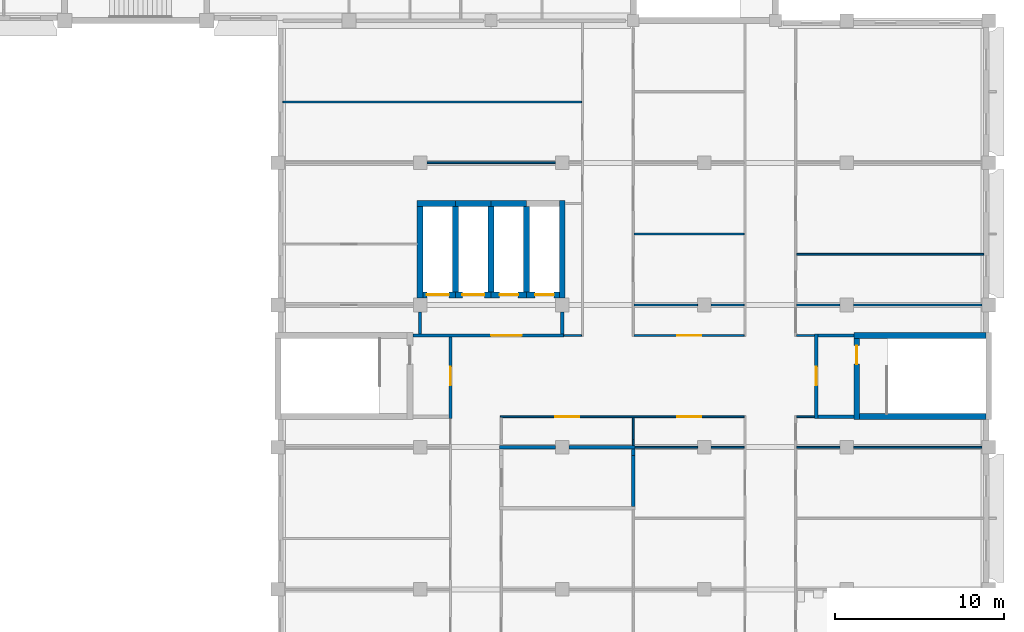
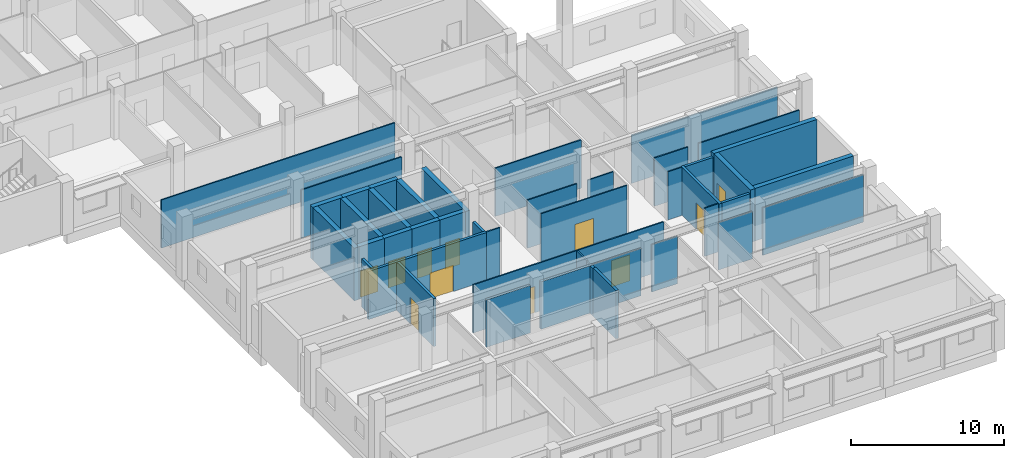
# One storey, part 69 of 109: 45 walls, 11 doors, 11 openings.
"""IFC4 building model written with IfcOpenShell, lengths in metres."""

from ifc_helpers import new_model, si_unit, direction, frame, frame_2d, origin, place, context, subcontext, project, spatial, rectangle, extrude, material, layer, layer_set, type_object, element, fill, save


model = new_model("IFC4")

# Units and contexts
model_context = context("Model", 3, precision=1e-05, world=origin(), true_north=direction((0.0, 1.0)))
body_context = subcontext(model_context, "Body", "Model", "MODEL_VIEW")
ifc_project = project(units=[si_unit("LENGTHUNIT", "METRE"), si_unit("AREAUNIT", "SQUARE_METRE"), si_unit("VOLUMEUNIT", "CUBIC_METRE"), si_unit("PLANEANGLEUNIT", "RADIAN"), si_unit("MASSUNIT", "GRAM", prefix="KILO")], contexts=[model_context])

# Site, building, storey
site_placement = place(None, origin())
site = spatial("IfcSite", under=ifc_project, at=site_placement, CompositionType="ELEMENT")
building_placement = place(site_placement, origin())
building = spatial("IfcBuilding", under=site, at=building_placement, Name="Bougainvillea Quay General Hospital", CompositionType="ELEMENT")
storey_placement = place(building_placement, frame((0.0, 0.0, 12.60009765625)))
storey = spatial("IfcBuildingStorey", under=building, at=storey_placement, Name="L02", CompositionType="ELEMENT", Elevation=12.60009765625)

# Walls
ifc_material_1 = material(Name="Gypsum board partition on steel studs", Category="steel")
ifc_layer_1 = layer(ifc_material_1, 0.10009765625)
ifc_layer_set_1 = layer_set([ifc_layer_1], Name="Gypsum board partition on steel studs")
wall_type_1 = type_object("IfcWallType", Name="Partition 100 Gypsum board partition", PredefinedType="PARTITIONING", material=ifc_layer_set_1)
wall_1_placement = place(storey_placement, frame((172.60009765625, 109.199951171875, 0.0), z_axis=(0.0, 0.0, 1.0), x_axis=(1.0, 0.0, 0.0)))
element("IfcWall", 1, at=wall_1_placement, inside=storey, type_object=wall_type_1, Name="Partition 100 mm", PredefinedType="PARTITIONING", context=body_context, shape_type="SweptSolid", body=[
    extrude(rectangle(XDim=7.599853515625, YDim=0.10009765625, at=frame_2d((3.7998046875, 0.0))), origin(), (0.0, 0.0, 1.0), 3.849853515625),
])
wall_2_placement = place(storey_placement, frame((164.10009765625, 112.798095703125, 0.0), z_axis=(0.0, 0.0, 1.0), x_axis=(1.0, 0.0, 0.0)))
element("IfcWall", 2, at=wall_2_placement, inside=storey, type_object=wall_type_1, Name="Partition 100 mm", PredefinedType="PARTITIONING", context=body_context, shape_type="SweptSolid", body=[
    extrude(rectangle(XDim=17.64990234375, YDim=0.10009765625, at=frame_2d((8.824951171875, 0.0))), origin(), (0.0, 0.0, 1.0), 3.849853515625),
])

# Wall, openings, doors
wall_3_placement = place(storey_placement, frame((176.949951171875, 94.199951171875, 0.0), z_axis=(0.0, 0.0, 1.0), x_axis=(1.0, 0.0, 0.0)))
wall_3 = element("IfcWall", 3, at=wall_3_placement, inside=storey, type_object=wall_type_1, Name="Partition 100 mm", PredefinedType="PARTITIONING", context=body_context, shape_type="SweptSolid", body=[
    extrude(rectangle(XDim=14.400146484375, YDim=0.10009765625, at=frame_2d((7.2001953125, 0.0))), origin(), (0.0, 0.0, 1.0), 3.849853515625),
])
opening_1_placement = place(wall_3_placement, frame((3.25, 0.0, 0.0)))
opening_1 = element("IfcOpeningElement", 4, at=opening_1_placement, cuts=wall_3, Name="Opening L02.058", PredefinedType="OPENING", context=body_context, shape_type="SweptSolid", body=[
    extrude(rectangle(XDim=1.39990234375, YDim=2.10009765625, at=frame_2d((0.699951171875, 1.050048828125))), frame((0.0, 0.06005859375, 0.0), z_axis=(0.0, -1.0, 0.0), x_axis=(1.0, 0.0, 0.0)), (0.0, 0.0, 1.0), 0.1201171875),
])
opening_2_placement = place(wall_3_placement, frame((10.449951171875, 0.0, 0.0)))
opening_2 = element("IfcOpeningElement", 5, at=opening_2_placement, cuts=wall_3, Name="Opening L02.063", PredefinedType="OPENING", context=body_context, shape_type="SweptSolid", body=[
    extrude(rectangle(XDim=1.39990234375, YDim=2.10009765625, at=frame_2d((0.699951171875, 1.050048828125))), frame((0.0, 0.06005859375, 0.0), z_axis=(0.0, -1.0, 0.0), x_axis=(1.0, 0.0, 0.0)), (0.0, 0.0, 1.0), 0.1201171875),
])
ifc_material_2 = material(Name="Solid-core timber door leaves in steel frame", Category="steel")
door_type_1 = type_object("IfcDoorType", Name="Bed door pair 1400x2100", OperationType="DOUBLE_DOOR_SINGLE_SWING", PredefinedType="DOOR", material=ifc_material_2)
door_1_placement = place(opening_1_placement, frame((1.39990234375, 0.0, 0.0), z_axis=(0.0, 0.0, 1.0), x_axis=(-1.0, 0.0, 0.0)))
door_1 = element("IfcDoor", 6, at=door_1_placement, inside=storey, type_object=door_type_1, Name="DT09 L02.058", OperationType="DOUBLE_DOOR_SINGLE_SWING", OverallHeight=2.10009765625, OverallWidth=1.39990234375, PredefinedType="DOOR", context=body_context, shape_type="SweptSolid", body=[
    extrude(rectangle(XDim=1.39990234375, YDim=2.10009765625, at=frame_2d((0.699951171875, 1.050048828125))), frame((0.0, 0.02490234375, 0.0), z_axis=(0.0, -1.0, 0.0), x_axis=(1.0, 0.0, 0.0)), (0.0, 0.0, 1.0), 0.050048828125),
])
fill(opening_1, door_1)
door_2_placement = place(opening_2_placement, frame((1.39990234375, 0.0, 0.0), z_axis=(0.0, 0.0, 1.0), x_axis=(-1.0, 0.0, 0.0)))
door_2 = element("IfcDoor", 7, at=door_2_placement, inside=storey, type_object=door_type_1, Name="DT09 L02.063", OperationType="DOUBLE_DOOR_SINGLE_SWING", OverallHeight=2.10009765625, OverallWidth=1.39990234375, PredefinedType="DOOR", context=body_context, shape_type="SweptSolid", body=[
    extrude(rectangle(XDim=1.39990234375, YDim=2.10009765625, at=frame_2d((0.699951171875, 1.050048828125))), frame((0.0, 0.02490234375, 0.0), z_axis=(0.0, -1.0, 0.0), x_axis=(1.0, 0.0, 0.0)), (0.0, 0.0, 1.0), 0.050048828125),
])
fill(opening_2, door_2)

# Walls
wall_4_placement = place(storey_placement, frame((194.449951171875, 92.39990234375, 0.0), z_axis=(0.0, 0.0, 1.0), x_axis=(1.0, 0.0, 0.0)))
element("IfcWall", 8, at=wall_4_placement, inside=storey, type_object=wall_type_1, Name="Partition 100 mm", PredefinedType="PARTITIONING", context=body_context, shape_type="SweptSolid", body=[
    extrude(rectangle(XDim=2.550048828125, YDim=0.10009765625, at=frame_2d((1.27490234375, 0.0))), origin(), (0.0, 0.0, 1.0), 3.789794921875),
])
wall_5_placement = place(storey_placement, frame((197.800048828125, 92.39990234375, 0.0), z_axis=(0.0, 0.0, 1.0), x_axis=(1.0, 0.0, 0.0)))
element("IfcWall", 9, at=wall_5_placement, inside=storey, type_object=wall_type_1, Name="Partition 100 mm", PredefinedType="PARTITIONING", context=body_context, shape_type="SweptSolid", body=[
    extrude(rectangle(XDim=7.599853515625, YDim=0.10009765625, at=frame_2d((3.7998046875, 0.0))), origin(), (0.0, 0.0, 1.0), 3.789794921875),
])
wall_6_placement = place(storey_placement, frame((194.449951171875, 100.800048828125, 0.0), z_axis=(0.0, 0.0, 1.0), x_axis=(1.0, 0.0, 0.0)))
element("IfcWall", 10, at=wall_6_placement, inside=storey, type_object=wall_type_1, Name="Partition 100 mm", PredefinedType="PARTITIONING", context=body_context, shape_type="SweptSolid", body=[
    extrude(rectangle(XDim=2.550048828125, YDim=0.10009765625, at=frame_2d((1.27490234375, 0.0))), origin(), (0.0, 0.0, 1.0), 3.849853515625),
])
wall_7_placement = place(storey_placement, frame((197.800048828125, 100.800048828125, 0.0), z_axis=(0.0, 0.0, 1.0), x_axis=(1.0, 0.0, 0.0)))
element("IfcWall", 11, at=wall_7_placement, inside=storey, type_object=wall_type_1, Name="Partition 100 mm", PredefinedType="PARTITIONING", context=body_context, shape_type="SweptSolid", body=[
    extrude(rectangle(XDim=7.599853515625, YDim=0.10009765625, at=frame_2d((3.7998046875, 0.0))), origin(), (0.0, 0.0, 1.0), 3.849853515625),
])
wall_8_placement = place(storey_placement, frame((194.449951171875, 103.800048828125, 0.0), z_axis=(0.0, 0.0, 1.0), x_axis=(1.0, 0.0, 0.0)))
element("IfcWall", 12, at=wall_8_placement, inside=storey, type_object=wall_type_1, Name="Partition 100 mm", PredefinedType="PARTITIONING", context=body_context, shape_type="SweptSolid", body=[
    extrude(rectangle(XDim=11.050048828125, YDim=0.10009765625, at=frame_2d((5.52490234375, 0.0))), origin(), (0.0, 0.0, 1.0), 3.849853515625),
])
wall_9_placement = place(storey_placement, frame((184.89990234375, 92.39990234375, 0.0), z_axis=(0.0, 0.0, 1.0), x_axis=(1.0, 0.0, 0.0)))
element("IfcWall", 13, at=wall_9_placement, inside=storey, type_object=wall_type_1, Name="Partition 100 mm", PredefinedType="PARTITIONING", context=body_context, shape_type="SweptSolid", body=[
    extrude(rectangle(XDim=3.7001953125, YDim=0.10009765625, at=frame_2d((1.85009765625, 0.0))), origin(), (0.0, 0.0, 1.0), 3.789794921875),
])
wall_10_placement = place(storey_placement, frame((189.39990234375, 92.39990234375, 0.0), z_axis=(0.0, 0.0, 1.0), x_axis=(1.0, 0.0, 0.0)))
element("IfcWall", 14, at=wall_10_placement, inside=storey, type_object=wall_type_1, Name="Partition 100 mm", PredefinedType="PARTITIONING", context=body_context, shape_type="SweptSolid", body=[
    extrude(rectangle(XDim=1.9501953125, YDim=0.10009765625, at=frame_2d((0.97509765625, 0.0))), origin(), (0.0, 0.0, 1.0), 3.789794921875),
])

# Wall, opening, door
wall_11_placement = place(storey_placement, frame((184.85009765625, 99.0, 0.0), z_axis=(0.0, 0.0, 1.0), x_axis=(1.0, 0.0, 0.0)))
wall_11 = element("IfcWall", 15, at=wall_11_placement, inside=storey, type_object=wall_type_1, Name="Partition 100 mm", PredefinedType="PARTITIONING", context=body_context, shape_type="SweptSolid", body=[
    extrude(rectangle(XDim=6.5, YDim=0.10009765625, at=frame_2d((3.25, 0.0))), origin(), (0.0, 0.0, 1.0), 3.849853515625),
])
opening_3_placement = place(wall_11_placement, frame((2.550048828125, 0.0, 0.0)))
opening_3 = element("IfcOpeningElement", 16, at=opening_3_placement, cuts=wall_11, Name="Opening L02.076", PredefinedType="OPENING", context=body_context, shape_type="SweptSolid", body=[
    extrude(rectangle(XDim=1.39990234375, YDim=2.10009765625, at=frame_2d((0.699951171875, 1.050048828125))), frame((0.0, 0.06005859375, 0.0), z_axis=(0.0, -1.0, 0.0), x_axis=(1.0, 0.0, 0.0)), (0.0, 0.0, 1.0), 0.1201171875),
])
door_3_placement = place(opening_3_placement, origin())
door_3 = element("IfcDoor", 17, at=door_3_placement, inside=storey, type_object=door_type_1, Name="DT09 L02.076", OperationType="DOUBLE_DOOR_SINGLE_SWING", OverallHeight=2.10009765625, OverallWidth=1.39990234375, PredefinedType="DOOR", context=body_context, shape_type="SweptSolid", body=[
    extrude(rectangle(XDim=1.39990234375, YDim=2.10009765625, at=frame_2d((0.699951171875, 1.050048828125))), frame((0.0, 0.02490234375, 0.0), z_axis=(0.0, -1.0, 0.0), x_axis=(1.0, 0.0, 0.0)), (0.0, 0.0, 1.0), 0.050048828125),
])
fill(opening_3, door_3)

# Walls
wall_12_placement = place(storey_placement, frame((184.85009765625, 100.800048828125, 0.0), z_axis=(0.0, 0.0, 1.0), x_axis=(1.0, 0.0, 0.0)))
element("IfcWall", 18, at=wall_12_placement, inside=storey, type_object=wall_type_1, Name="Partition 100 mm", PredefinedType="PARTITIONING", context=body_context, shape_type="SweptSolid", body=[
    extrude(rectangle(XDim=3.75, YDim=0.10009765625, at=frame_2d((1.875, 0.0))), origin(), (0.0, 0.0, 1.0), 3.849853515625),
])
wall_13_placement = place(storey_placement, frame((189.39990234375, 100.800048828125, 0.0), z_axis=(0.0, 0.0, 1.0), x_axis=(1.0, 0.0, 0.0)))
element("IfcWall", 19, at=wall_13_placement, inside=storey, type_object=wall_type_1, Name="Partition 100 mm", PredefinedType="PARTITIONING", context=body_context, shape_type="SweptSolid", body=[
    extrude(rectangle(XDim=1.9501953125, YDim=0.10009765625, at=frame_2d((0.97509765625, 0.0))), origin(), (0.0, 0.0, 1.0), 3.849853515625),
])
wall_14_placement = place(storey_placement, frame((184.85009765625, 105.0, 0.0), z_axis=(0.0, 0.0, 1.0), x_axis=(1.0, 0.0, 0.0)))
element("IfcWall", 20, at=wall_14_placement, inside=storey, type_object=wall_type_1, Name="Partition 100 mm", PredefinedType="PARTITIONING", context=body_context, shape_type="SweptSolid", body=[
    extrude(rectangle(XDim=6.5, YDim=0.10009765625, at=frame_2d((3.25, 0.0))), origin(), (0.0, 0.0, 1.0), 3.849853515625),
])
wall_15_placement = place(storey_placement, frame((184.800048828125, 92.5, 0.0), z_axis=(0.0, 0.0, 1.0), x_axis=(0.0, 1.0, 0.0)))
element("IfcWall", 21, at=wall_15_placement, inside=storey, type_object=wall_type_1, Name="Partition 100 mm", PredefinedType="PARTITIONING", context=body_context, shape_type="SweptSolid", body=[
    extrude(rectangle(XDim=0.35009765625, YDim=0.10009765625, at=frame_2d((0.175048828125, 0.0))), origin(), (0.0, 0.0, 1.0), 3.789794921875),
])
wall_16_placement = place(storey_placement, frame((184.800048828125, 92.85009765625, 0.0), z_axis=(0.0, 0.0, 1.0), x_axis=(0.0, 1.0, 0.0)))
element("IfcWall", 22, at=wall_16_placement, inside=storey, type_object=wall_type_1, Name="Partition 100 mm", PredefinedType="PARTITIONING", context=body_context, shape_type="SweptSolid", body=[
    extrude(rectangle(XDim=1.2998046875, YDim=0.10009765625, at=frame_2d((0.64990234375, 0.0))), origin(), (0.0, 0.0, 1.0), 3.849853515625),
])
for number, where, z_axis, x_axis, name in (
    (23, (180.699951171875, 99.0, 0.0), (0.0, 0.0, 1.0), (1.0, 0.0, 0.0), "Partition 100 mm"),
    (24, (194.449951171875, 94.199951171875, 0.0), (0.0, 0.0, 1.0), (1.0, 0.0, 0.0), "Partition 100 mm"),
    (25, (194.449951171875, 99.0, 0.0), (0.0, 0.0, 1.0), (1.0, 0.0, 0.0), "Partition 100 mm"),
):
    element("IfcWall", number, at=place(storey_placement, frame(where, z_axis=z_axis, x_axis=x_axis)), inside=storey, type_object=wall_type_1, Name=name, PredefinedType="PARTITIONING", context=body_context, shape_type="SweptSolid", body=[
        extrude(rectangle(XDim=1.050048828125, YDim=0.10009765625, at=frame_2d((0.52490234375, 0.0))), origin(), (0.0, 0.0, 1.0), 3.849853515625),
    ])

# Wall, opening, door
ifc_material_3 = material(Name="Fire-rated autoclaved aerated block wall, plastered")
ifc_layer_2 = layer(ifc_material_3, 0.199951171875)
ifc_layer_set_2 = layer_set([ifc_layer_2], Name="Fire-rated autoclaved aerated block wall, plastered")
wall_type_2 = type_object("IfcWallType", Name="Partition 200 Fire-rated autoclaved aerated block wall EI 120", PredefinedType="SOLIDWALL", material=ifc_layer_set_2)
wall_17_placement = place(storey_placement, frame((180.699951171875, 99.0, 0.0), z_axis=(0.0, 0.0, 1.0), x_axis=(-1.0, 0.0, 0.0)))
wall_17 = element("IfcWall", 26, at=wall_17_placement, inside=storey, type_object=wall_type_2, Name="Partition 200 mm EI 120", PredefinedType="SOLIDWALL", context=body_context, shape_type="SweptSolid", body=[
    extrude(rectangle(XDim=8.925048828125, YDim=0.199951171875, at=frame_2d((4.46240234375, 0.0))), origin(), (0.0, 0.0, 1.0), 3.849853515625),
])
opening_4_placement = place(wall_17_placement, frame((2.5, 0.0, 0.0)))
opening_4 = element("IfcOpeningElement", 27, at=opening_4_placement, cuts=wall_17, Name="Opening L02.052", PredefinedType="OPENING", context=body_context, shape_type="SweptSolid", body=[
    extrude(rectangle(XDim=1.800048828125, YDim=2.10009765625, at=frame_2d((0.89990234375, 1.050048828125))), frame((0.0, 0.10986328125, 0.0), z_axis=(0.0, -1.0, 0.0), x_axis=(1.0, 0.0, 0.0)), (0.0, 0.0, 1.0), 0.219970703125),
])
ifc_material_4 = material(Name="Steel fire door leaves in steel frame", Category="steel")
door_type_2 = type_object("IfcDoorType", Name="Steel double leaf door 1800x2100 FD60", OperationType="DOUBLE_DOOR_SINGLE_SWING", PredefinedType="DOOR", material=ifc_material_4)
door_4_placement = place(opening_4_placement, frame((1.800048828125, 0.0, 0.0), z_axis=(0.0, 0.0, 1.0), x_axis=(-1.0, 0.0, 0.0)))
door_4 = element("IfcDoor", 28, at=door_4_placement, inside=storey, type_object=door_type_2, Name="DT05 L02.052", OperationType="DOUBLE_DOOR_SINGLE_SWING", OverallHeight=2.10009765625, OverallWidth=1.800048828125, PredefinedType="DOOR", context=body_context, shape_type="SweptSolid", body=[
    extrude(rectangle(XDim=1.800048828125, YDim=2.10009765625, at=frame_2d((0.89990234375, 1.050048828125))), frame((0.0, 0.02490234375, 0.0), z_axis=(0.0, -1.0, 0.0), x_axis=(1.0, 0.0, 0.0)), (0.0, 0.0, 1.0), 0.050048828125),
])
fill(opening_4, door_4)

wall_18_placement = place(storey_placement, frame((174.0, 94.10009765625, 0.0), z_axis=(0.0, 0.0, 1.0), x_axis=(0.0, 1.0, 0.0)))
wall_18 = element("IfcWall", 29, at=wall_18_placement, inside=storey, type_object=wall_type_2, Name="Partition 200 mm EI 120", PredefinedType="SOLIDWALL", context=body_context, shape_type="SweptSolid", body=[
    extrude(rectangle(XDim=4.7998046875, YDim=0.199951171875, at=frame_2d((2.39990234375, 0.0))), origin(), (0.0, 0.0, 1.0), 3.849853515625),
])
opening_5_placement = place(wall_18_placement, frame((1.949951171875, 0.0, 0.0)))
opening_5 = element("IfcOpeningElement", 30, at=opening_5_placement, cuts=wall_18, Name="Opening L02.050", PredefinedType="OPENING", context=body_context, shape_type="SweptSolid", body=[
    extrude(rectangle(XDim=1.10009765625, YDim=2.10009765625, at=frame_2d((0.550048828125, 1.050048828125))), frame((0.0, 0.10986328125, 0.0), z_axis=(0.0, -1.0, 0.0), x_axis=(1.0, 0.0, 0.0)), (0.0, 0.0, 1.0), 0.219970703125),
])
ifc_material_5 = material(Name="Steel fire door leaf in steel frame", Category="steel")
door_type_3 = type_object("IfcDoorType", Name="Steel single leaf door 1100x2100 FD60", OperationType="NOTDEFINED", PredefinedType="DOOR", material=ifc_material_5)
door_5_placement = place(opening_5_placement, origin())
door_5 = element("IfcDoor", 31, at=door_5_placement, inside=storey, type_object=door_type_3, Name="DT04 L02.050", OperationType="SINGLE_SWING_RIGHT", OverallHeight=2.10009765625, OverallWidth=1.10009765625, PredefinedType="DOOR", context=body_context, shape_type="SweptSolid", body=[
    extrude(rectangle(XDim=1.10009765625, YDim=2.10009765625, at=frame_2d((0.550048828125, 1.050048828125))), frame((0.0, 0.02490234375, 0.0), z_axis=(0.0, -1.0, 0.0), x_axis=(1.0, 0.0, 0.0)), (0.0, 0.0, 1.0), 0.050048828125),
])
fill(opening_5, door_5)

wall_19_placement = place(storey_placement, frame((195.60009765625, 94.10009765625, 0.0), z_axis=(0.0, 0.0, 1.0), x_axis=(0.0, 1.0, 0.0)))
wall_19 = element("IfcWall", 32, at=wall_19_placement, inside=storey, type_object=wall_type_2, Name="Partition 200 mm EI 120", PredefinedType="SOLIDWALL", context=body_context, shape_type="SweptSolid", body=[
    extrude(rectangle(XDim=5.0, YDim=0.199951171875, at=frame_2d((2.5, 0.0))), origin(), (0.0, 0.0, 1.0), 3.849853515625),
])
opening_6_placement = place(wall_19_placement, frame((1.949951171875, 0.0, 0.0)))
opening_6 = element("IfcOpeningElement", 33, at=opening_6_placement, cuts=wall_19, Name="Opening L02.051", PredefinedType="OPENING", context=body_context, shape_type="SweptSolid", body=[
    extrude(rectangle(XDim=1.10009765625, YDim=2.10009765625, at=frame_2d((0.550048828125, 1.050048828125))), frame((0.0, 0.10986328125, 0.0), z_axis=(0.0, -1.0, 0.0), x_axis=(1.0, 0.0, 0.0)), (0.0, 0.0, 1.0), 0.219970703125),
])
door_6_placement = place(opening_6_placement, frame((1.10009765625, 0.0, 0.0), z_axis=(0.0, 0.0, 1.0), x_axis=(-1.0, 0.0, 0.0)))
door_6 = element("IfcDoor", 34, at=door_6_placement, inside=storey, type_object=door_type_3, Name="DT04 L02.051", OperationType="SINGLE_SWING_RIGHT", OverallHeight=2.10009765625, OverallWidth=1.10009765625, PredefinedType="DOOR", context=body_context, shape_type="SweptSolid", body=[
    extrude(rectangle(XDim=1.10009765625, YDim=2.10009765625, at=frame_2d((0.550048828125, 1.050048828125))), frame((0.0, 0.02490234375, 0.0), z_axis=(0.0, -1.0, 0.0), x_axis=(1.0, 0.0, 0.0)), (0.0, 0.0, 1.0), 0.050048828125),
])
fill(opening_6, door_6)

# Walls
for number, where, z_axis, x_axis, name in (
    (35, (172.199951171875, 99.10009765625, 0.0), (0.0, 0.0, 1.0), (0.0, 1.0, 0.0), "Partition 200 mm EI 120"),
    (36, (180.60009765625, 99.10009765625, 0.0), (0.0, 0.0, 1.0), (0.0, 1.0, 0.0), "Partition 200 mm EI 120"),
):
    element("IfcWall", number, at=place(storey_placement, frame(where, z_axis=z_axis, x_axis=x_axis)), inside=storey, type_object=wall_type_2, Name=name, PredefinedType="SOLIDWALL", context=body_context, shape_type="SweptSolid", body=[
        extrude(rectangle(XDim=1.2998046875, YDim=0.199951171875, at=frame_2d((0.64990234375, 0.0))), origin(), (0.0, 0.0, 1.0), 3.849853515625),
    ])
for number, where, z_axis, x_axis, name in (
    (37, (195.699951171875, 94.199951171875, 0.0), (0.0, 0.0, 1.0), (1.0, 0.0, 0.0), "Partition 200 mm EI 120"),
    (38, (195.699951171875, 99.0, 0.0), (0.0, 0.0, 1.0), (1.0, 0.0, 0.0), "Partition 200 mm EI 120"),
):
    element("IfcWall", number, at=place(storey_placement, frame(where, z_axis=z_axis, x_axis=x_axis)), inside=storey, type_object=wall_type_2, Name=name, PredefinedType="SOLIDWALL", context=body_context, shape_type="SweptSolid", body=[
        extrude(rectangle(XDim=2.125, YDim=0.199951171875, at=frame_2d((1.0625, 0.0))), origin(), (0.0, 0.0, 1.0), 3.849853515625),
    ])
ifc_layer_3 = layer(ifc_material_3, 0.199951171875)
ifc_layer_set_3 = layer_set([ifc_layer_3], Name="Fire-rated autoclaved aerated block wall, plastered")
wall_type_3 = type_object("IfcWallType", Name="Partition 200 Fire-rated autoclaved aerated block wall EI 60", PredefinedType="SOLIDWALL", material=ifc_layer_set_3)
wall_20_placement = place(storey_placement, frame((176.89990234375, 92.39990234375, 0.0), z_axis=(0.0, 0.0, 1.0), x_axis=(1.0, 0.0, 0.0)))
element("IfcWall", 39, at=wall_20_placement, inside=storey, type_object=wall_type_3, Name="Partition 200 mm EI 60", PredefinedType="SOLIDWALL", context=body_context, shape_type="SweptSolid", body=[
    extrude(rectangle(XDim=3.300048828125, YDim=0.199951171875, at=frame_2d((1.64990234375, 0.0))), origin(), (0.0, 0.0, 1.0), 3.789794921875),
])
wall_21_placement = place(storey_placement, frame((181.0, 92.39990234375, 0.0), z_axis=(0.0, 0.0, 1.0), x_axis=(1.0, 0.0, 0.0)))
element("IfcWall", 40, at=wall_21_placement, inside=storey, type_object=wall_type_3, Name="Partition 200 mm EI 60", PredefinedType="SOLIDWALL", context=body_context, shape_type="SweptSolid", body=[
    extrude(rectangle(XDim=3.89990234375, YDim=0.199951171875, at=frame_2d((1.949951171875, 0.0))), origin(), (0.0, 0.0, 1.0), 3.789794921875),
])
wall_22_placement = place(storey_placement, frame((184.800048828125, 88.89990234375, 0.0), z_axis=(0.0, 0.0, 1.0), x_axis=(0.0, 1.0, 0.0)))
element("IfcWall", 41, at=wall_22_placement, inside=storey, type_object=wall_type_3, Name="Partition 200 mm EI 60", PredefinedType="SOLIDWALL", context=body_context, shape_type="SweptSolid", body=[
    extrude(rectangle(XDim=3.0, YDim=0.199951171875, at=frame_2d((1.5, 0.0))), origin(), (0.0, 0.0, 1.0), 3.849853515625),
])
wall_23_placement = place(storey_placement, frame((184.800048828125, 91.89990234375, 0.0), z_axis=(0.0, 0.0, 1.0), x_axis=(0.0, 1.0, 0.0)))
element("IfcWall", 42, at=wall_23_placement, inside=storey, type_object=wall_type_3, Name="Partition 200 mm EI 60", PredefinedType="SOLIDWALL", context=body_context, shape_type="SweptSolid", body=[
    extrude(rectangle(XDim=0.400146484375, YDim=0.199951171875, at=frame_2d((0.2001953125, 0.0))), origin(), (0.0, 0.0, 1.0), 3.789794921875),
])
ifc_material_6 = material(Name="Concrete C40", Category="concrete")
ifc_layer_4 = layer(ifc_material_6, 0.35009765625)
ifc_layer_set_4 = layer_set([ifc_layer_4], Name="Concrete C40")
wall_type_4 = type_object("IfcWallType", Name="RC SHEAR WALL 350 C40", PredefinedType="SHEAR", material=ifc_layer_set_4)
wall_24_placement = place(storey_placement, frame((172.02490234375, 106.800048828125, 0.0), z_axis=(0.0, 0.0, 1.0), x_axis=(1.0, 0.0, 0.0)))
element("IfcWall", 43, at=wall_24_placement, inside=storey, type_object=wall_type_4, Name="Shear wall L02", PredefinedType="SHEAR", context=body_context, shape_type="SweptSolid", body=[
    extrude(rectangle(XDim=2.275146484375, YDim=0.35009765625, at=frame_2d((1.1376953125, 0.0))), origin(), (0.0, 0.0, 1.0), 4.199951171875),
])
wall_25_placement = place(storey_placement, frame((172.199951171875, 101.22509765625, 0.0), z_axis=(0.0, 0.0, 1.0), x_axis=(0.0, 1.0, 0.0)))
element("IfcWall", 44, at=wall_25_placement, inside=storey, type_object=wall_type_4, Name="Shear wall L02", PredefinedType="SHEAR", context=body_context, shape_type="SweptSolid", body=[
    extrude(rectangle(XDim=5.39990234375, YDim=0.35009765625, at=frame_2d((2.699951171875, 0.0))), origin(), (0.0, 0.0, 1.0), 4.199951171875),
])

# Wall, opening, door
wall_26_placement = place(storey_placement, frame((172.375, 101.39990234375, 0.0), z_axis=(0.0, 0.0, 1.0), x_axis=(1.0, 0.0, 0.0)))
wall_26 = element("IfcWall", 45, at=wall_26_placement, inside=storey, type_object=wall_type_4, Name="Shear wall L02", PredefinedType="SHEAR", context=body_context, shape_type="SweptSolid", body=[
    extrude(rectangle(XDim=1.925048828125, YDim=0.35009765625, at=frame_2d((0.96240234375, 0.0))), origin(), (0.0, 0.0, 1.0), 4.199951171875),
])
opening_7_placement = place(wall_26_placement, frame((0.22509765625, 0.0, 0.0)))
opening_7 = element("IfcOpeningElement", 46, at=opening_7_placement, cuts=wall_26, Name="Opening LD-T1.1-L02", PredefinedType="OPENING", context=body_context, shape_type="SweptSolid", body=[
    extrude(rectangle(XDim=1.300048828125, YDim=2.10009765625, at=frame_2d((0.64990234375, 1.050048828125))), frame((0.0, 0.18505859375, 0.0), z_axis=(0.0, -1.0, 0.0), x_axis=(1.0, 0.0, 0.0)), (0.0, 0.0, 1.0), 0.3701171875),
])
ifc_material_7 = material(Name="Stainless steel centre-opening landing door", Category="steel")
door_type_4 = type_object("IfcDoorType", Name="Lift landing door 1300x2100 E 120", OperationType="DOUBLE_DOOR_SLIDING", PredefinedType="DOOR", material=ifc_material_7)
door_7_placement = place(opening_7_placement, origin())
door_7 = element("IfcDoor", 47, at=door_7_placement, inside=storey, type_object=door_type_4, Name="Lift landing door LB-T1-1 L02", OperationType="DOUBLE_DOOR_SLIDING", OverallHeight=2.10009765625, OverallWidth=1.300048828125, PredefinedType="DOOR", context=body_context, shape_type="SweptSolid", body=[
    extrude(rectangle(XDim=1.300048828125, YDim=2.10009765625, at=frame_2d((0.64990234375, 1.050048828125))), frame((0.0, 0.02490234375, 0.0), z_axis=(0.0, -1.0, 0.0), x_axis=(1.0, 0.0, 0.0)), (0.0, 0.0, 1.0), 0.050048828125),
])
fill(opening_7, door_7)

wall_27_placement = place(storey_placement, frame((174.300048828125, 101.39990234375, 0.0), z_axis=(0.0, 0.0, 1.0), x_axis=(1.0, 0.0, 0.0)))
wall_27 = element("IfcWall", 48, at=wall_27_placement, inside=storey, type_object=wall_type_4, Name="Shear wall L02", PredefinedType="SHEAR", context=body_context, shape_type="SweptSolid", body=[
    extrude(rectangle(XDim=2.099853515625, YDim=0.35009765625, at=frame_2d((1.0498046875, 0.0))), origin(), (0.0, 0.0, 1.0), 4.199951171875),
])
opening_8_placement = place(wall_27_placement, frame((0.39990234375, 0.0, 0.0)))
opening_8 = element("IfcOpeningElement", 49, at=opening_8_placement, cuts=wall_27, Name="Opening LD-T1.2-L02", PredefinedType="OPENING", context=body_context, shape_type="SweptSolid", body=[
    extrude(rectangle(XDim=1.300048828125, YDim=2.10009765625, at=frame_2d((0.64990234375, 1.050048828125))), frame((0.0, 0.18505859375, 0.0), z_axis=(0.0, -1.0, 0.0), x_axis=(1.0, 0.0, 0.0)), (0.0, 0.0, 1.0), 0.3701171875),
])
door_8_placement = place(opening_8_placement, origin())
door_8 = element("IfcDoor", 50, at=door_8_placement, inside=storey, type_object=door_type_4, Name="Lift landing door LB-T1-2 L02", OperationType="DOUBLE_DOOR_SLIDING", OverallHeight=2.10009765625, OverallWidth=1.300048828125, PredefinedType="DOOR", context=body_context, shape_type="SweptSolid", body=[
    extrude(rectangle(XDim=1.300048828125, YDim=2.10009765625, at=frame_2d((0.64990234375, 1.050048828125))), frame((0.0, 0.02490234375, 0.0), z_axis=(0.0, -1.0, 0.0), x_axis=(1.0, 0.0, 0.0)), (0.0, 0.0, 1.0), 0.050048828125),
])
fill(opening_8, door_8)

# Walls
wall_28_placement = place(storey_placement, frame((174.300048828125, 101.574951171875, 0.0), z_axis=(0.0, 0.0, 1.0), x_axis=(0.0, 1.0, 0.0)))
element("IfcWall", 51, at=wall_28_placement, inside=storey, type_object=wall_type_4, Name="Shear wall L02", PredefinedType="SHEAR", context=body_context, shape_type="SweptSolid", body=[
    extrude(rectangle(XDim=5.050048828125, YDim=0.35009765625, at=frame_2d((2.52490234375, 0.0))), origin(), (0.0, 0.0, 1.0), 4.199951171875),
])
wall_29_placement = place(storey_placement, frame((174.300048828125, 106.800048828125, 0.0), z_axis=(0.0, 0.0, 1.0), x_axis=(1.0, 0.0, 0.0)))
element("IfcWall", 52, at=wall_29_placement, inside=storey, type_object=wall_type_4, Name="Shear wall L02", PredefinedType="SHEAR", context=body_context, shape_type="SweptSolid", body=[
    extrude(rectangle(XDim=2.099853515625, YDim=0.35009765625, at=frame_2d((1.0498046875, 0.0))), origin(), (0.0, 0.0, 1.0), 4.199951171875),
])

# Wall, opening, door
wall_30_placement = place(storey_placement, frame((176.39990234375, 101.39990234375, 0.0), z_axis=(0.0, 0.0, 1.0), x_axis=(1.0, 0.0, 0.0)))
wall_30 = element("IfcWall", 53, at=wall_30_placement, inside=storey, type_object=wall_type_4, Name="Shear wall L02", PredefinedType="SHEAR", context=body_context, shape_type="SweptSolid", body=[
    extrude(rectangle(XDim=2.10009765625, YDim=0.35009765625, at=frame_2d((1.050048828125, 0.0))), origin(), (0.0, 0.0, 1.0), 4.199951171875),
])
opening_9_placement = place(wall_30_placement, frame((0.5, 0.0, 0.0)))
opening_9 = element("IfcOpeningElement", 54, at=opening_9_placement, cuts=wall_30, Name="Opening LD-T1.3-L02", PredefinedType="OPENING", context=body_context, shape_type="SweptSolid", body=[
    extrude(rectangle(XDim=1.10009765625, YDim=2.10009765625, at=frame_2d((0.550048828125, 1.050048828125))), frame((0.0, 0.18505859375, 0.0), z_axis=(0.0, -1.0, 0.0), x_axis=(1.0, 0.0, 0.0)), (0.0, 0.0, 1.0), 0.3701171875),
])
door_type_5 = type_object("IfcDoorType", Name="Lift landing door 1100x2100 E 120", OperationType="DOUBLE_DOOR_SLIDING", PredefinedType="DOOR", material=ifc_material_7)
door_9_placement = place(opening_9_placement, origin())
door_9 = element("IfcDoor", 55, at=door_9_placement, inside=storey, type_object=door_type_5, Name="Lift landing door LB-T1-3 L02", OperationType="DOUBLE_DOOR_SLIDING", OverallHeight=2.10009765625, OverallWidth=1.10009765625, PredefinedType="DOOR", context=body_context, shape_type="SweptSolid", body=[
    extrude(rectangle(XDim=1.10009765625, YDim=2.10009765625, at=frame_2d((0.550048828125, 1.050048828125))), frame((0.0, 0.02490234375, 0.0), z_axis=(0.0, -1.0, 0.0), x_axis=(1.0, 0.0, 0.0)), (0.0, 0.0, 1.0), 0.050048828125),
])
fill(opening_9, door_9)

# Walls
wall_31_placement = place(storey_placement, frame((176.39990234375, 101.574951171875, 0.0), z_axis=(0.0, 0.0, 1.0), x_axis=(0.0, 1.0, 0.0)))
element("IfcWall", 56, at=wall_31_placement, inside=storey, type_object=wall_type_4, Name="Shear wall L02", PredefinedType="SHEAR", context=body_context, shape_type="SweptSolid", body=[
    extrude(rectangle(XDim=5.050048828125, YDim=0.35009765625, at=frame_2d((2.52490234375, 0.0))), origin(), (0.0, 0.0, 1.0), 4.199951171875),
])
wall_32_placement = place(storey_placement, frame((176.39990234375, 106.800048828125, 0.0), z_axis=(0.0, 0.0, 1.0), x_axis=(1.0, 0.0, 0.0)))
element("IfcWall", 57, at=wall_32_placement, inside=storey, type_object=wall_type_4, Name="Shear wall L02", PredefinedType="SHEAR", context=body_context, shape_type="SweptSolid", body=[
    extrude(rectangle(XDim=2.10009765625, YDim=0.35009765625, at=frame_2d((1.050048828125, 0.0))), origin(), (0.0, 0.0, 1.0), 4.199951171875),
])

# Wall, opening, door
wall_33_placement = place(storey_placement, frame((178.5, 101.39990234375, 0.0), z_axis=(0.0, 0.0, 1.0), x_axis=(1.0, 0.0, 0.0)))
wall_33 = element("IfcWall", 58, at=wall_33_placement, inside=storey, type_object=wall_type_4, Name="Shear wall L02", PredefinedType="SHEAR", context=body_context, shape_type="SweptSolid", body=[
    extrude(rectangle(XDim=1.925048828125, YDim=0.35009765625, at=frame_2d((0.96240234375, 0.0))), origin(), (0.0, 0.0, 1.0), 4.199951171875),
])
opening_10_placement = place(wall_33_placement, frame((0.5, 0.0, 0.0)))
opening_10 = element("IfcOpeningElement", 59, at=opening_10_placement, cuts=wall_33, Name="Opening LD-T1.4-L02", PredefinedType="OPENING", context=body_context, shape_type="SweptSolid", body=[
    extrude(rectangle(XDim=1.10009765625, YDim=2.10009765625, at=frame_2d((0.550048828125, 1.050048828125))), frame((0.0, 0.18505859375, 0.0), z_axis=(0.0, -1.0, 0.0), x_axis=(1.0, 0.0, 0.0)), (0.0, 0.0, 1.0), 0.3701171875),
])
door_10_placement = place(opening_10_placement, origin())
door_10 = element("IfcDoor", 60, at=door_10_placement, inside=storey, type_object=door_type_5, Name="Lift landing door LB-T1-4 L02", OperationType="DOUBLE_DOOR_SLIDING", OverallHeight=2.10009765625, OverallWidth=1.10009765625, PredefinedType="DOOR", context=body_context, shape_type="SweptSolid", body=[
    extrude(rectangle(XDim=1.10009765625, YDim=2.10009765625, at=frame_2d((0.550048828125, 1.050048828125))), frame((0.0, 0.02490234375, 0.0), z_axis=(0.0, -1.0, 0.0), x_axis=(1.0, 0.0, 0.0)), (0.0, 0.0, 1.0), 0.050048828125),
])
fill(opening_10, door_10)

# Walls
wall_34_placement = place(storey_placement, frame((178.5, 101.574951171875, 0.0), z_axis=(0.0, 0.0, 1.0), x_axis=(0.0, 1.0, 0.0)))
element("IfcWall", 61, at=wall_34_placement, inside=storey, type_object=wall_type_4, Name="Shear wall L02", PredefinedType="SHEAR", context=body_context, shape_type="SweptSolid", body=[
    extrude(rectangle(XDim=5.050048828125, YDim=0.35009765625, at=frame_2d((2.52490234375, 0.0))), origin(), (0.0, 0.0, 1.0), 4.199951171875),
])
wall_35_placement = place(storey_placement, frame((180.60009765625, 101.22509765625, 0.0), z_axis=(0.0, 0.0, 1.0), x_axis=(0.0, 1.0, 0.0)))
element("IfcWall", 62, at=wall_35_placement, inside=storey, type_object=wall_type_4, Name="Shear wall L02", PredefinedType="SHEAR", context=body_context, shape_type="SweptSolid", body=[
    extrude(rectangle(XDim=5.75, YDim=0.35009765625, at=frame_2d((2.875, 0.0))), origin(), (0.0, 0.0, 1.0), 4.199951171875),
])
wall_36_placement = place(storey_placement, frame((197.824951171875, 99.0, 0.0), z_axis=(0.0, 0.0, 1.0), x_axis=(1.0, 0.0, 0.0)))
element("IfcWall", 63, at=wall_36_placement, inside=storey, type_object=wall_type_4, Name="Shear wall L02", PredefinedType="SHEAR", context=body_context, shape_type="SweptSolid", body=[
    extrude(rectangle(XDim=7.800048828125, YDim=0.35009765625, at=frame_2d((3.89990234375, 0.0))), origin(), (0.0, 0.0, 1.0), 4.199951171875),
])

# Wall, opening, door
wall_37_placement = place(storey_placement, frame((198.0, 94.02490234375, 0.0), z_axis=(0.0, 0.0, 1.0), x_axis=(0.0, 1.0, 0.0)))
wall_37 = element("IfcWall", 64, at=wall_37_placement, inside=storey, type_object=wall_type_4, Name="Shear wall L02", PredefinedType="SHEAR", context=body_context, shape_type="SweptSolid", body=[
    extrude(rectangle(XDim=4.800048828125, YDim=0.35009765625, at=frame_2d((2.39990234375, 0.0))), origin(), (0.0, 0.0, 1.0), 4.199951171875),
])
opening_11_placement = place(wall_37_placement, frame((3.27490234375, 0.0, 0.0)))
opening_11 = element("IfcOpeningElement", 65, at=opening_11_placement, cuts=wall_37, Name="Opening L02.030", PredefinedType="OPENING", context=body_context, shape_type="SweptSolid", body=[
    extrude(rectangle(XDim=1.10009765625, YDim=2.10009765625, at=frame_2d((0.550048828125, 1.050048828125))), frame((0.0, 0.18505859375, 0.0), z_axis=(0.0, -1.0, 0.0), x_axis=(1.0, 0.0, 0.0)), (0.0, 0.0, 1.0), 0.3701171875),
])
door_11_placement = place(opening_11_placement, frame((1.10009765625, 0.0, 0.0), z_axis=(0.0, 0.0, 1.0), x_axis=(-1.0, 0.0, 0.0)))
door_11 = element("IfcDoor", 66, at=door_11_placement, inside=storey, type_object=door_type_3, Name="DT04 L02.030", OperationType="SINGLE_SWING_LEFT", OverallHeight=2.10009765625, OverallWidth=1.10009765625, PredefinedType="DOOR", context=body_context, shape_type="SweptSolid", body=[
    extrude(rectangle(XDim=1.10009765625, YDim=2.10009765625, at=frame_2d((0.550048828125, 1.050048828125))), frame((0.0, 0.02490234375, 0.0), z_axis=(0.0, -1.0, 0.0), x_axis=(1.0, 0.0, 0.0)), (0.0, 0.0, 1.0), 0.050048828125),
])
fill(opening_11, door_11)

# Wall
wall_38_placement = place(storey_placement, frame((198.175048828125, 94.199951171875, 0.0), z_axis=(0.0, 0.0, 1.0), x_axis=(1.0, 0.0, 0.0)))
element("IfcWall", 67, at=wall_38_placement, inside=storey, type_object=wall_type_4, Name="Shear wall L02", PredefinedType="SHEAR", context=body_context, shape_type="SweptSolid", body=[
    extrude(rectangle(XDim=7.449951171875, YDim=0.35009765625, at=frame_2d((3.72509765625, 0.0))), origin(), (0.0, 0.0, 1.0), 4.199951171875),
])

save(model, "model.ifc")
